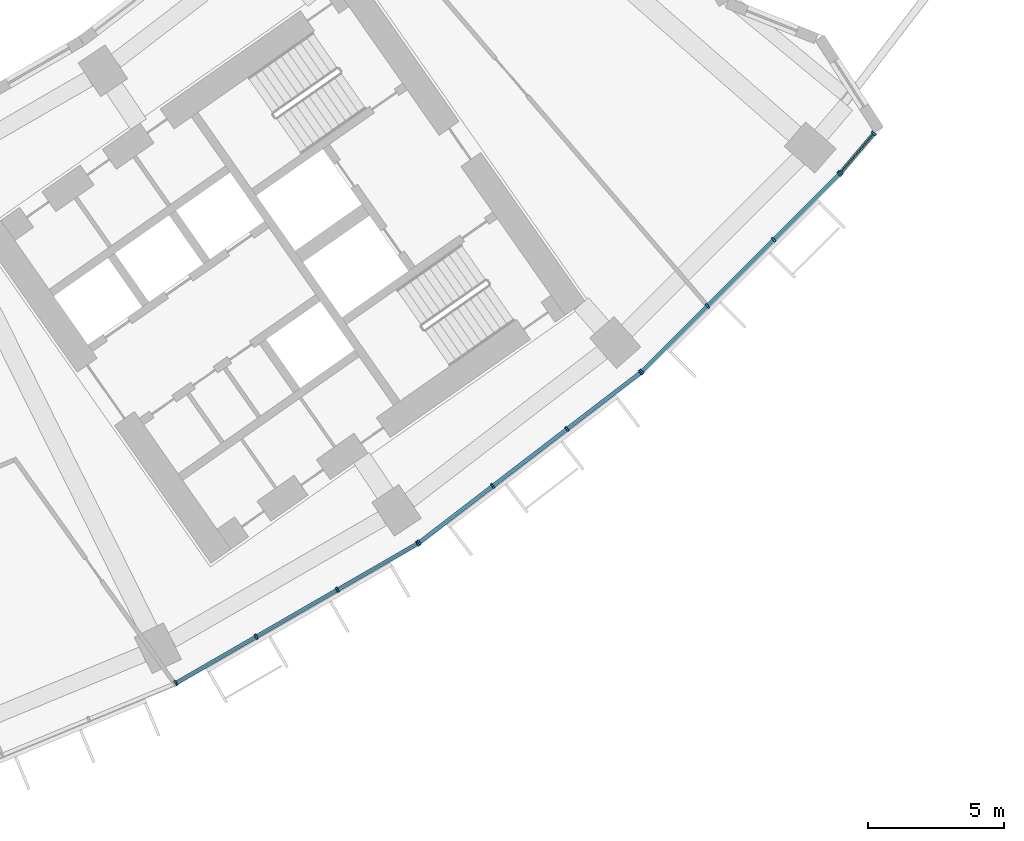
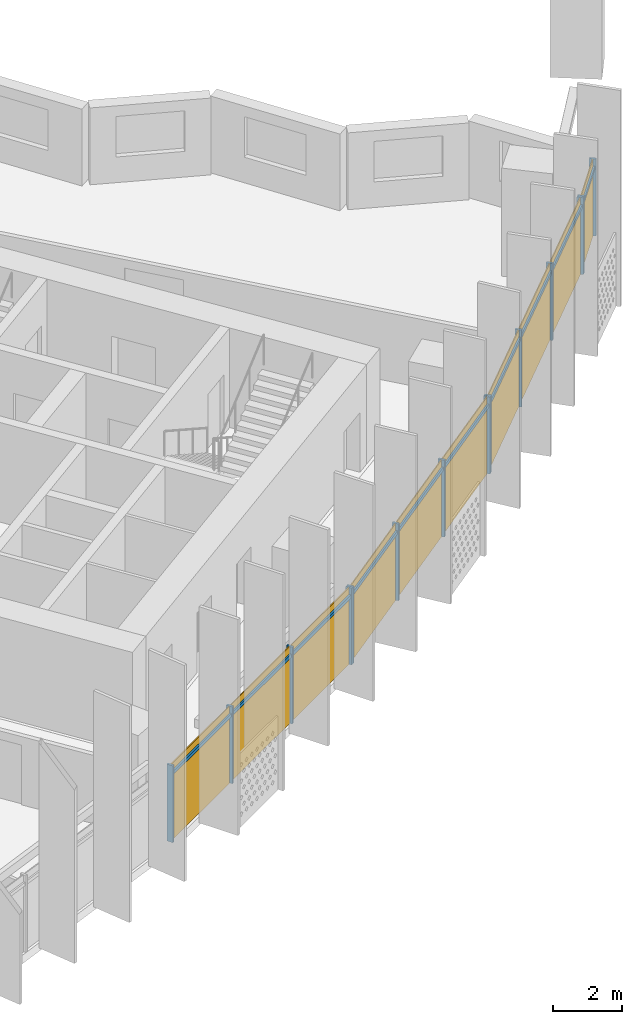
# One storey, part 22 of 30: 24 members, 4 curtain walls.
"""IFC4 building model written with IfcOpenShell, lengths in metres."""

from ifc_helpers import new_model, si_unit, direction, frame, origin, origin_2d, place, context, subcontext, project, spatial, rectangle, extrude, material, material_profile, profile_set, type_object, element, aggregate, save


model = new_model("IFC4")

# Units and contexts
model_context = context("Model", 3, precision=1e-05, world=origin(), true_north=direction((0.0, 1.0)))
body_context = subcontext(model_context, "Body", "Model", "MODEL_VIEW")
ifc_project = project(units=[si_unit("LENGTHUNIT", "METRE"), si_unit("AREAUNIT", "SQUARE_METRE"), si_unit("VOLUMEUNIT", "CUBIC_METRE"), si_unit("PLANEANGLEUNIT", "RADIAN"), si_unit("MASSUNIT", "GRAM", prefix="KILO")], contexts=[model_context])

# Member
ifc_material = material(Name="Aluminium 6063-T6 anodised", Category="aluminium")
ifc_material_profile_1 = material_profile(ifc_material, rectangle(XDim=0.199951171875, YDim=0.070068359375, at=origin_2d()))
ifc_profile_set_1 = profile_set([ifc_material_profile_1], Name="Aluminium 6063-T6 anodised")
member_type_1 = type_object("IfcMemberType", Name="Mullion 70 x 200 aluminium", PredefinedType="MULLION", material=ifc_profile_set_1)
site_placement = place(None, origin())
building_placement = place(site_placement, origin())
storey_placement = place(building_placement, frame((0.0, 0.0, 110.10009765625)))
member_1_placement = place(storey_placement, frame((35.0537109375, -71.017822265625, 0.0), z_axis=(0.0, 0.0, 1.0), x_axis=(-0.5, 0.866025403784, 0.0)))
member_1 = element("IfcMember", 1, at=member_1_placement, type_object=member_type_1, Name="e-cw1-L24-out13/M00", PredefinedType="MULLION", context=body_context, shape_type="SweptSolid", body=[
    extrude(rectangle(XDim=0.199951171875, YDim=0.070068359375, at=origin_2d()), origin(), (0.0, 0.0, 1.0), 2.699951171875),
])

member_2_placement = place(storey_placement, frame((38.017822265625, -69.306640625, 0.0), z_axis=(0.0, 0.0, 1.0), x_axis=(-0.5, 0.866025403784, 0.0)))
member_2 = element("IfcMember", 2, at=member_2_placement, type_object=member_type_1, Name="e-cw1-L24-out13/M01", PredefinedType="MULLION", context=body_context, shape_type="SweptSolid", body=[
    extrude(rectangle(XDim=0.199951171875, YDim=0.070068359375, at=origin_2d()), origin(), (0.0, 0.0, 1.0), 2.699951171875),
])

member_3_placement = place(storey_placement, frame((41.01220703125, -67.577880859375, 0.0), z_axis=(0.0, 0.0, 1.0), x_axis=(-0.5, 0.866025403784, 0.0)))
member_3 = element("IfcMember", 3, at=member_3_placement, type_object=member_type_1, Name="e-cw1-L24-out13/M02", PredefinedType="MULLION", context=body_context, shape_type="SweptSolid", body=[
    extrude(rectangle(XDim=0.199951171875, YDim=0.070068359375, at=origin_2d()), origin(), (0.0, 0.0, 1.0), 2.699951171875),
])

member_4_placement = place(storey_placement, frame((43.976318359375, -65.866455078125, 0.0), z_axis=(0.0, 0.0, 1.0), x_axis=(-0.5, 0.866025403784, 0.0)))
member_4 = element("IfcMember", 4, at=member_4_placement, type_object=member_type_1, Name="e-cw1-L24-out13/M03", PredefinedType="MULLION", context=body_context, shape_type="SweptSolid", body=[
    extrude(rectangle(XDim=0.199951171875, YDim=0.070068359375, at=origin_2d()), origin(), (0.0, 0.0, 1.0), 2.699951171875),
])

member_5_placement = place(storey_placement, frame((44.023681640625, -65.8349609375, 0.0), z_axis=(0.0, 0.0, 1.0), x_axis=(-0.608761429009, 0.793353340291, 0.0)))
member_5 = element("IfcMember", 5, at=member_5_placement, type_object=member_type_1, Name="e-cw1-L24-out14/M00", PredefinedType="MULLION", context=body_context, shape_type="SweptSolid", body=[
    extrude(rectangle(XDim=0.199951171875, YDim=0.070068359375, at=origin_2d()), origin(), (0.0, 0.0, 1.0), 2.699951171875),
])

member_6_placement = place(storey_placement, frame((46.739013671875, -63.751220703125, 0.0), z_axis=(0.0, 0.0, 1.0), x_axis=(-0.608761429009, 0.793353340291, 0.0)))
member_6 = element("IfcMember", 6, at=member_6_placement, type_object=member_type_1, Name="e-cw1-L24-out14/M01", PredefinedType="MULLION", context=body_context, shape_type="SweptSolid", body=[
    extrude(rectangle(XDim=0.199951171875, YDim=0.070068359375, at=origin_2d()), origin(), (0.0, 0.0, 1.0), 2.699951171875),
])

member_7_placement = place(storey_placement, frame((49.482177734375, -61.646484375, 0.0), z_axis=(0.0, 0.0, 1.0), x_axis=(-0.608761429009, 0.793353340291, 0.0)))
member_7 = element("IfcMember", 7, at=member_7_placement, type_object=member_type_1, Name="e-cw1-L24-out14/M02", PredefinedType="MULLION", context=body_context, shape_type="SweptSolid", body=[
    extrude(rectangle(XDim=0.199951171875, YDim=0.070068359375, at=origin_2d()), origin(), (0.0, 0.0, 1.0), 2.699951171875),
])

member_8_placement = place(storey_placement, frame((52.197509765625, -59.56298828125, 0.0), z_axis=(0.0, 0.0, 1.0), x_axis=(-0.608761429009, 0.793353340291, 0.0)))
member_8 = element("IfcMember", 8, at=member_8_placement, type_object=member_type_1, Name="e-cw1-L24-out14/M03", PredefinedType="MULLION", context=body_context, shape_type="SweptSolid", body=[
    extrude(rectangle(XDim=0.199951171875, YDim=0.070068359375, at=origin_2d()), origin(), (0.0, 0.0, 1.0), 2.699951171875),
])

member_9_placement = place(storey_placement, frame((52.240234375, -59.525390625, 0.0), z_axis=(0.0, 0.0, 1.0), x_axis=(-0.707106781187, 0.707106781187, 0.0)))
member_9 = element("IfcMember", 9, at=member_9_placement, type_object=member_type_1, Name="e-cw1-L24-out15/M00", PredefinedType="MULLION", context=body_context, shape_type="SweptSolid", body=[
    extrude(rectangle(XDim=0.199951171875, YDim=0.070068359375, at=origin_2d()), origin(), (0.0, 0.0, 1.0), 2.699951171875),
])

member_10_placement = place(storey_placement, frame((54.660400390625, -57.105224609375, 0.0), z_axis=(0.0, 0.0, 1.0), x_axis=(-0.707106781187, 0.707106781187, 0.0)))
member_10 = element("IfcMember", 10, at=member_10_placement, type_object=member_type_1, Name="e-cw1-L24-out15/M01", PredefinedType="MULLION", context=body_context, shape_type="SweptSolid", body=[
    extrude(rectangle(XDim=0.199951171875, YDim=0.070068359375, at=origin_2d()), origin(), (0.0, 0.0, 1.0), 2.699951171875),
])

member_11_placement = place(storey_placement, frame((57.105224609375, -54.660400390625, 0.0), z_axis=(0.0, 0.0, 1.0), x_axis=(-0.707106781187, 0.707106781187, 0.0)))
member_11 = element("IfcMember", 11, at=member_11_placement, type_object=member_type_1, Name="e-cw1-L24-out15/M02", PredefinedType="MULLION", context=body_context, shape_type="SweptSolid", body=[
    extrude(rectangle(XDim=0.199951171875, YDim=0.070068359375, at=origin_2d()), origin(), (0.0, 0.0, 1.0), 2.699951171875),
])

member_12_placement = place(storey_placement, frame((59.525390625, -52.240234375, 0.0), z_axis=(0.0, 0.0, 1.0), x_axis=(-0.707106781187, 0.707106781187, 0.0)))
member_12 = element("IfcMember", 12, at=member_12_placement, type_object=member_type_1, Name="e-cw1-L24-out15/M03", PredefinedType="MULLION", context=body_context, shape_type="SweptSolid", body=[
    extrude(rectangle(XDim=0.199951171875, YDim=0.070068359375, at=origin_2d()), origin(), (0.0, 0.0, 1.0), 2.699951171875),
])

member_13_placement = place(storey_placement, frame((59.5673828125, -52.194580078125, 0.0), z_axis=(0.0, 0.0, 1.0), x_axis=(-0.761569702594, 0.648083010185, 0.0)))
member_13 = element("IfcMember", 13, at=member_13_placement, type_object=member_type_1, Name="e-cw1-L24-out16/M00", PredefinedType="MULLION", context=body_context, shape_type="SweptSolid", body=[
    extrude(rectangle(XDim=0.199951171875, YDim=0.070068359375, at=origin_2d()), origin(), (0.0, 0.0, 1.0), 2.699951171875),
])

member_14_placement = place(storey_placement, frame((60.80224609375, -50.743408203125, 0.0), z_axis=(0.0, 0.0, 1.0), x_axis=(-0.761569702594, 0.648083010185, 0.0)))
member_14 = element("IfcMember", 14, at=member_14_placement, type_object=member_type_1, Name="e-cw1-L24-out16/M01", PredefinedType="MULLION", context=body_context, shape_type="SweptSolid", body=[
    extrude(rectangle(XDim=0.199951171875, YDim=0.070068359375, at=origin_2d()), origin(), (0.0, 0.0, 1.0), 2.699951171875),
])

ifc_material_profile_2 = material_profile(ifc_material, rectangle(XDim=0.139892578125, YDim=0.1201171875, at=origin_2d()))
ifc_profile_set_2 = profile_set([ifc_material_profile_2], Name="Aluminium 6063-T6 anodised")
member_type_2 = type_object("IfcMemberType", Name="Transom 120 x 140 aluminium", PredefinedType="USERDEFINED", material=ifc_profile_set_2)
member_15_placement = place(storey_placement, frame((35.084228515625, -71.00048828125, 2.39990234375), z_axis=(0.865989120267, 0.50006283963, 0.0), x_axis=(-0.50006283963, 0.865989120267, 0.0)))
member_15 = element("IfcMember", 15, at=member_15_placement, type_object=member_type_2, Name="e-cw1-L24-out13/T00", ObjectType="TRANSOM", PredefinedType="USERDEFINED", context=body_context, shape_type="SweptSolid", body=[
    extrude(rectangle(XDim=0.139892578125, YDim=0.1201171875, at=origin_2d()), origin(), (0.0, 0.0, 1.0), 3.3525390625),
])

member_16_placement = place(storey_placement, frame((38.048095703125, -69.2890625, 2.39990234375), z_axis=(0.866025971257, 0.499999017107, 0.0), x_axis=(-0.499999017107, 0.866025971257, 0.0)))
member_16 = element("IfcMember", 16, at=member_16_placement, type_object=member_type_2, Name="e-cw1-L24-out13/T01", ObjectType="TRANSOM", PredefinedType="USERDEFINED", context=body_context, shape_type="SweptSolid", body=[
    extrude(rectangle(XDim=0.139892578125, YDim=0.1201171875, at=origin_2d()), origin(), (0.0, 0.0, 1.0), 3.3876953125),
])

member_17_placement = place(storey_placement, frame((41.042724609375, -67.560302734375, 2.39990234375), z_axis=(0.866020654818, 0.50000822536, 0.0), x_axis=(-0.50000822536, 0.866020654818, 0.0)))
member_17 = element("IfcMember", 17, at=member_17_placement, type_object=member_type_2, Name="e-cw1-L24-out13/T02", ObjectType="TRANSOM", PredefinedType="USERDEFINED", context=body_context, shape_type="SweptSolid", body=[
    extrude(rectangle(XDim=0.139892578125, YDim=0.1201171875, at=origin_2d()), origin(), (0.0, 0.0, 1.0), 3.3525390625),
])

member_18_placement = place(storey_placement, frame((44.05126953125, -65.8134765625, 2.39990234375), z_axis=(0.793389477316, 0.608714331426, 0.0), x_axis=(-0.608714331426, 0.793389477316, 0.0)))
member_18 = element("IfcMember", 18, at=member_18_placement, type_object=member_type_2, Name="e-cw1-L24-out14/T00", ObjectType="TRANSOM", PredefinedType="USERDEFINED", context=body_context, shape_type="SweptSolid", body=[
    extrude(rectangle(XDim=0.139892578125, YDim=0.1201171875, at=origin_2d()), origin(), (0.0, 0.0, 1.0), 3.3525390625),
])

member_19_placement = place(storey_placement, frame((46.766845703125, -63.72998046875, 2.39990234375), z_axis=(0.793344133173, 0.608773427772, 0.0), x_axis=(-0.608773427772, 0.793344133173, 0.0)))
member_19 = element("IfcMember", 19, at=member_19_placement, type_object=member_type_2, Name="e-cw1-L24-out14/T01", ObjectType="TRANSOM", PredefinedType="USERDEFINED", context=body_context, shape_type="SweptSolid", body=[
    extrude(rectangle(XDim=0.139892578125, YDim=0.1201171875, at=origin_2d()), origin(), (0.0, 0.0, 1.0), 3.387451171875),
])

member_20_placement = place(storey_placement, frame((49.509765625, -61.625244140625, 2.39990234375), z_axis=(0.793354308621, 0.608760167055, 0.0), x_axis=(-0.608760167055, 0.793354308621, 0.0)))
member_20 = element("IfcMember", 20, at=member_20_placement, type_object=member_type_2, Name="e-cw1-L24-out14/T02", ObjectType="TRANSOM", PredefinedType="USERDEFINED", context=body_context, shape_type="SweptSolid", body=[
    extrude(rectangle(XDim=0.139892578125, YDim=0.1201171875, at=origin_2d()), origin(), (0.0, 0.0, 1.0), 3.352783203125),
])

member_21_placement = place(storey_placement, frame((52.264892578125, -59.500732421875, 2.39990234375), z_axis=(0.707106781187, 0.707106781187, 0.0), x_axis=(-0.707106781187, 0.707106781187, 0.0)))
member_21 = element("IfcMember", 21, at=member_21_placement, type_object=member_type_2, Name="e-cw1-L24-out15/T00", ObjectType="TRANSOM", PredefinedType="USERDEFINED", context=body_context, shape_type="SweptSolid", body=[
    extrude(rectangle(XDim=0.139892578125, YDim=0.1201171875, at=origin_2d()), origin(), (0.0, 0.0, 1.0), 3.3525390625),
])

member_22_placement = place(storey_placement, frame((54.68505859375, -57.08056640625, 2.39990234375), z_axis=(0.707106781187, 0.707106781187, 0.0), x_axis=(-0.707106781187, 0.707106781187, 0.0)))
member_22 = element("IfcMember", 22, at=member_22_placement, type_object=member_type_2, Name="e-cw1-L24-out15/T01", ObjectType="TRANSOM", PredefinedType="USERDEFINED", context=body_context, shape_type="SweptSolid", body=[
    extrude(rectangle(XDim=0.139892578125, YDim=0.1201171875, at=origin_2d()), origin(), (0.0, 0.0, 1.0), 3.3876953125),
])

member_23_placement = place(storey_placement, frame((57.130126953125, -54.635498046875, 2.39990234375), z_axis=(0.707106781187, 0.707106781187, 0.0), x_axis=(-0.707106781187, 0.707106781187, 0.0)))
member_23 = element("IfcMember", 23, at=member_23_placement, type_object=member_type_2, Name="e-cw1-L24-out15/T02", ObjectType="TRANSOM", PredefinedType="USERDEFINED", context=body_context, shape_type="SweptSolid", body=[
    extrude(rectangle(XDim=0.139892578125, YDim=0.1201171875, at=origin_2d()), origin(), (0.0, 0.0, 1.0), 3.3525390625),
])

member_24_placement = place(storey_placement, frame((59.590087890625, -52.16796875, 2.39990234375), z_axis=(0.648092366617, 0.761561740329, 0.0), x_axis=(-0.761561740329, 0.648092366617, 0.0)))
member_24 = element("IfcMember", 24, at=member_24_placement, type_object=member_type_2, Name="e-cw1-L24-out16/T00", ObjectType="TRANSOM", PredefinedType="USERDEFINED", context=body_context, shape_type="SweptSolid", body=[
    extrude(rectangle(XDim=0.139892578125, YDim=0.1201171875, at=origin_2d()), origin(), (0.0, 0.0, 1.0), 1.835205078125),
])

# Site, building, storey
site = spatial("IfcSite", under=ifc_project, at=site_placement, CompositionType="ELEMENT")
building = spatial("IfcBuilding", under=site, at=building_placement, Name="Qamariyya Broadcast Tower", CompositionType="ELEMENT")
storey = spatial("IfcBuildingStorey", under=building, at=storey_placement, Name="L24", CompositionType="ELEMENT", Elevation=110.10009765625)

# Curtain wall
curtain_wall_type = type_object("IfcCurtainWallType", Name="Unitised curtain wall, anodised aluminium", PredefinedType="NOTDEFINED", material=ifc_material)
curtain_wall_1_placement = place(storey_placement, origin())
curtain_wall_1 = element("IfcCurtainWall", 25, at=curtain_wall_1_placement, inside=storey, type_object=curtain_wall_type, Name="e-cw1-L24-out13", PredefinedType="NOTDEFINED", context=body_context, shape_type="SweptSolid", body=[
    extrude(rectangle(XDim=3.352783203125, YDim=0.031982421875, at=origin_2d()), frame((36.535888671875, -70.162109375, 0.0), x_axis=(0.866027243369, 0.499996813733, 0.0)), (0.0, 0.0, 1.0), 2.340087890625),
    extrude(rectangle(XDim=3.352783203125, YDim=0.031982421875, at=origin_2d()), frame((36.535888671875, -70.162109375, 2.4599609375), x_axis=(0.866027243369, 0.499996813733, 0.0)), (0.0, 0.0, 1.0), 0.239990234375),
    extrude(rectangle(XDim=3.3876953125, YDim=0.031982421875, at=origin_2d()), frame((39.51513671875, -68.442138671875, 0.0), x_axis=(0.866027243369, 0.499996813733, 0.0)), (0.0, 0.0, 1.0), 2.340087890625),
    extrude(rectangle(XDim=3.3876953125, YDim=0.031982421875, at=origin_2d()), frame((39.51513671875, -68.442138671875, 2.4599609375), x_axis=(0.866027243369, 0.499996813733, 0.0)), (0.0, 0.0, 1.0), 0.239990234375),
    extrude(rectangle(XDim=3.352783203125, YDim=0.031982421875, at=origin_2d()), frame((42.494384765625, -66.72216796875, 0.0), x_axis=(0.866027243369, 0.499996813733, 0.0)), (0.0, 0.0, 1.0), 2.340087890625),
    extrude(rectangle(XDim=3.352783203125, YDim=0.031982421875, at=origin_2d()), frame((42.494384765625, -66.72216796875, 2.4599609375), x_axis=(0.866027243369, 0.499996813733, 0.0)), (0.0, 0.0, 1.0), 0.239990234375),
])

aggregate(curtain_wall_1, [member_1, member_2, member_3, member_4, member_15, member_16, member_17])

curtain_wall_2_placement = place(storey_placement, origin())
curtain_wall_2 = element("IfcCurtainWall", 26, at=curtain_wall_2_placement, inside=storey, type_object=curtain_wall_type, Name="e-cw1-L24-out14", PredefinedType="NOTDEFINED", context=body_context, shape_type="SweptSolid", body=[
    extrude(rectangle(XDim=3.352783203125, YDim=0.031982421875, at=origin_2d()), frame((45.38134765625, -64.793212890625, 0.0), x_axis=(0.793354000839, 0.608760568165, 0.0)), (0.0, 0.0, 1.0), 2.340087890625),
    extrude(rectangle(XDim=3.352783203125, YDim=0.031982421875, at=origin_2d()), frame((45.38134765625, -64.793212890625, 2.4599609375), x_axis=(0.793354000839, 0.608760568165, 0.0)), (0.0, 0.0, 1.0), 0.239990234375),
    extrude(rectangle(XDim=3.3876953125, YDim=0.031982421875, at=origin_2d()), frame((48.110595703125, -62.69873046875, 0.0), x_axis=(0.793354000839, 0.608760568165, 0.0)), (0.0, 0.0, 1.0), 2.340087890625),
    extrude(rectangle(XDim=3.3876953125, YDim=0.031982421875, at=origin_2d()), frame((48.110595703125, -62.69873046875, 2.4599609375), x_axis=(0.793354000839, 0.608760568165, 0.0)), (0.0, 0.0, 1.0), 0.239990234375),
    extrude(rectangle(XDim=3.352783203125, YDim=0.031982421875, at=origin_2d()), frame((50.83984375, -60.6044921875, 0.0), x_axis=(0.793354000839, 0.608760568165, 0.0)), (0.0, 0.0, 1.0), 2.340087890625),
    extrude(rectangle(XDim=3.352783203125, YDim=0.031982421875, at=origin_2d()), frame((50.83984375, -60.6044921875, 2.4599609375), x_axis=(0.793354000839, 0.608760568165, 0.0)), (0.0, 0.0, 1.0), 0.239990234375),
])

aggregate(curtain_wall_2, [member_5, member_6, member_7, member_8, member_18, member_19, member_20])

curtain_wall_3_placement = place(storey_placement, origin())
curtain_wall_3 = element("IfcCurtainWall", 27, at=curtain_wall_3_placement, inside=storey, type_object=curtain_wall_type, Name="e-cw1-L24-out15", PredefinedType="NOTDEFINED", context=body_context, shape_type="SweptSolid", body=[
    extrude(rectangle(XDim=3.352783203125, YDim=0.031982421875, at=origin_2d()), frame((53.4501953125, -58.3154296875, 0.0), x_axis=(0.707106781187, 0.707106781187, 0.0)), (0.0, 0.0, 1.0), 2.340087890625),
    extrude(rectangle(XDim=3.352783203125, YDim=0.031982421875, at=origin_2d()), frame((53.4501953125, -58.3154296875, 2.4599609375), x_axis=(0.707106781187, 0.707106781187, 0.0)), (0.0, 0.0, 1.0), 0.239990234375),
    extrude(rectangle(XDim=3.3876953125, YDim=0.031982421875, at=origin_2d()), frame((55.8828125, -55.8828125, 0.0), x_axis=(0.707106781187, 0.707106781187, 0.0)), (0.0, 0.0, 1.0), 2.340087890625),
    extrude(rectangle(XDim=3.3876953125, YDim=0.031982421875, at=origin_2d()), frame((55.8828125, -55.8828125, 2.4599609375), x_axis=(0.707106781187, 0.707106781187, 0.0)), (0.0, 0.0, 1.0), 0.239990234375),
    extrude(rectangle(XDim=3.352783203125, YDim=0.031982421875, at=origin_2d()), frame((58.3154296875, -53.4501953125, 0.0), x_axis=(0.707106781187, 0.707106781187, 0.0)), (0.0, 0.0, 1.0), 2.340087890625),
    extrude(rectangle(XDim=3.352783203125, YDim=0.031982421875, at=origin_2d()), frame((58.3154296875, -53.4501953125, 2.4599609375), x_axis=(0.707106781187, 0.707106781187, 0.0)), (0.0, 0.0, 1.0), 0.239990234375),
])

aggregate(curtain_wall_3, [member_9, member_10, member_11, member_12, member_21, member_22, member_23])

curtain_wall_4_placement = place(storey_placement, origin())
curtain_wall_4 = element("IfcCurtainWall", 28, at=curtain_wall_4_placement, inside=storey, type_object=curtain_wall_type, Name="e-cw1-L24-out16", PredefinedType="NOTDEFINED", context=body_context, shape_type="SweptSolid", body=[
    extrude(rectangle(XDim=1.835693359375, YDim=0.031982421875, at=origin_2d()), frame((60.184814453125, -51.46923828125, 0.0), x_axis=(0.648039334099, 0.76160686805, 0.0)), (0.0, 0.0, 1.0), 2.340087890625),
    extrude(rectangle(XDim=1.835693359375, YDim=0.031982421875, at=origin_2d()), frame((60.184814453125, -51.46923828125, 2.4599609375), x_axis=(0.648039334099, 0.76160686805, 0.0)), (0.0, 0.0, 1.0), 0.239990234375),
])

aggregate(curtain_wall_4, [member_13, member_14, member_24])

save(model, "model.ifc")
